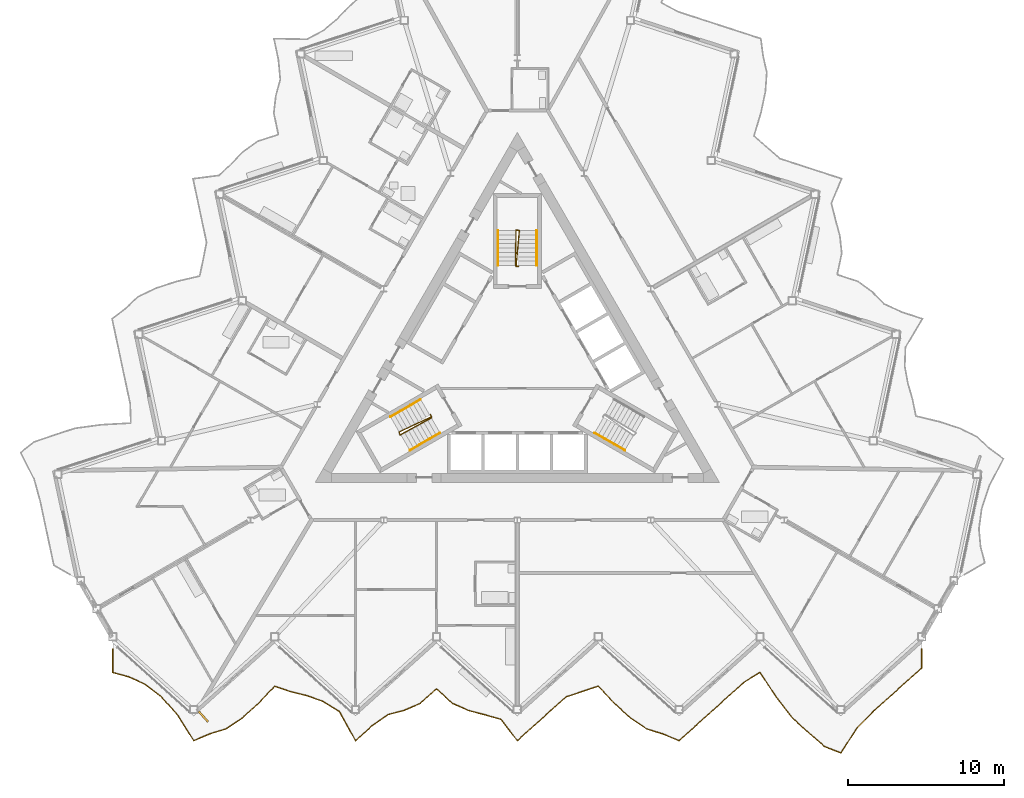
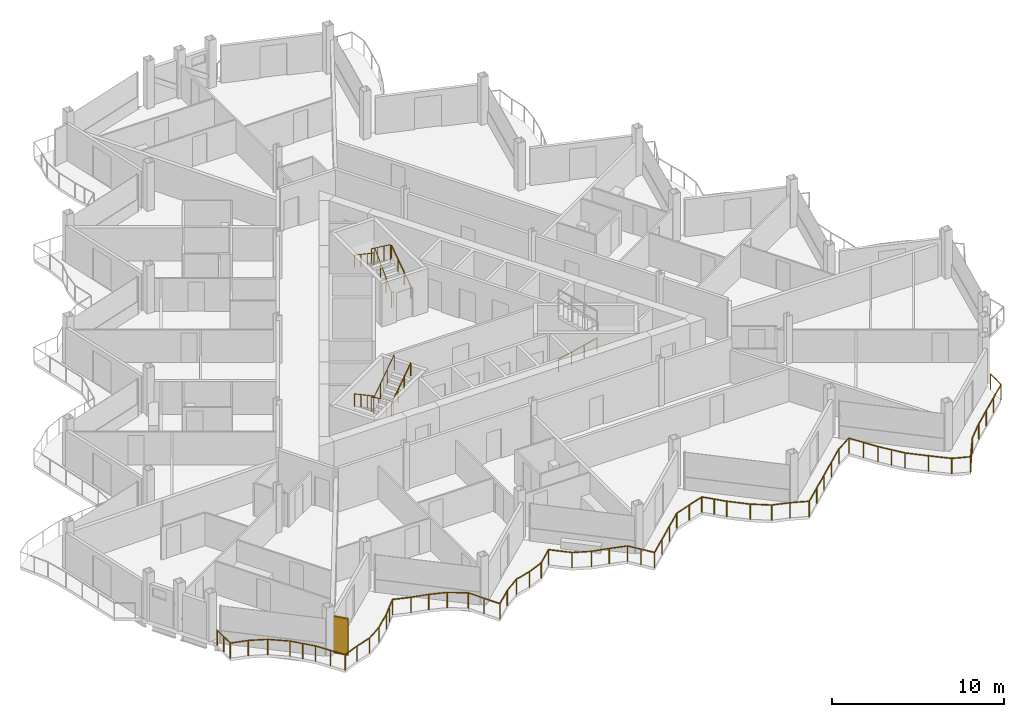
# One storey, part 22 of 26: 8 railings, 1 shading device.
"""IFC4 building model written with IfcOpenShell, lengths in metres."""

from ifc_helpers import new_model, si_unit, direction, frame, origin, origin_2d, place, context, subcontext, project, spatial, rectangle, circle, extrude, material, layer, layer_set, type_object, element, save


model = new_model("IFC4")

# Units and contexts
model_context = context("Model", 3, precision=1e-05, world=origin(), true_north=direction((0.0, 1.0)))
body_context = subcontext(model_context, "Body", "Model", "MODEL_VIEW")
ifc_project = project(units=[si_unit("LENGTHUNIT", "METRE"), si_unit("AREAUNIT", "SQUARE_METRE"), si_unit("VOLUMEUNIT", "CUBIC_METRE"), si_unit("PLANEANGLEUNIT", "RADIAN"), si_unit("MASSUNIT", "GRAM", prefix="KILO")], contexts=[model_context])

# Site, building, storey
site_placement = place(None, origin())
site = spatial("IfcSite", under=ifc_project, at=site_placement, CompositionType="ELEMENT")
building_placement = place(site_placement, origin())
building = spatial("IfcBuilding", under=site, at=building_placement, Name="Cormorant Prow Tower", CompositionType="ELEMENT")
storey_placement = place(building_placement, frame((0.0, 0.0, 388.199951171875)))
storey = spatial("IfcBuildingStorey", under=building, at=storey_placement, Name="L88", CompositionType="ELEMENT", Elevation=388.199951171875)

# Railings
ifc_material_1 = material(Name="Aluminium 6063-T6", Category="aluminium")
railing_type_1 = type_object("IfcRailingType", Name="Balcony guard 1100", PredefinedType="GUARDRAIL", material=ifc_material_1)
railing_1_placement = place(storey_placement, frame((-26.0, -18.189697265625, 0.0)))
element("IfcRailing", 1, at=railing_1_placement, inside=storey, type_object=railing_type_1, Name="Balcony guard S", PredefinedType="GUARDRAIL", context=body_context, shape_type="SweptSolid", body=[
    extrude(circle(Radius=0.02392578125, at=origin_2d()), frame((0.0, 0.0, 1.076171875), z_axis=(0.0, -1.0, 0.0), x_axis=(1.0, 0.0, 0.0)), (0.0, 0.0, 1.0), 1.52001953125),
    extrude(circle(Radius=0.02392578125, at=origin_2d()), frame((0.0, -1.52001953125, 1.076171875), z_axis=(0.964810844269, -0.262944927276, 0.0), x_axis=(0.262944927276, 0.964810844269, 0.0)), (0.0, 0.0, 1.0), 1.077880859375),
    extrude(circle(Radius=0.02392578125, at=origin_2d()), frame((1.0400390625, -1.803466796875, 1.076171875), z_axis=(0.909347595686, -0.41603719812, 0.0), x_axis=(0.41603719812, 0.909347595686, 0.0)), (0.0, 0.0, 1.0), 1.143798828125),
    extrude(circle(Radius=0.02392578125, at=origin_2d()), frame((2.080078125, -2.279296875, 1.076171875), z_axis=(0.791268661421, -0.611468646337, 0.0), x_axis=(0.611468646337, 0.791268661421, 0.0)), (0.0, 0.0, 1.0), 1.314453125),
    extrude(circle(Radius=0.02392578125, at=origin_2d()), frame((3.1201171875, -3.0830078125, 1.076171875), z_axis=(0.6640831276, -0.747658745443, 0.0), x_axis=(0.747658745443, 0.6640831276, 0.0)), (0.0, 0.0, 1.0), 1.565673828125),
    extrude(circle(Radius=0.02392578125, at=origin_2d()), frame((4.159912109375, -4.253662109375, 1.076171875), z_axis=(0.533597069462, -0.845738829345, 0.0), x_axis=(0.845738829345, 0.533597069462, 0.0)), (0.0, 0.0, 1.0), 1.94921875),
    extrude(circle(Radius=0.02392578125, at=origin_2d()), frame((5.199951171875, -5.902099609375, 1.076171875), z_axis=(0.920214237524, 0.391415070045, 0.0), x_axis=(-0.391415070045, 0.920214237524, 0.0)), (0.0, 0.0, 1.0), 1.130126953125),
    extrude(circle(Radius=0.02392578125, at=origin_2d()), frame((6.239990234375, -5.459716796875, 1.076171875), z_axis=(0.95576445461, 0.294133145538, 0.0), x_axis=(-0.294133145538, 0.95576445461, 0.0)), (0.0, 0.0, 1.0), 1.088134765625),
    extrude(circle(Radius=0.02392578125, at=origin_2d()), frame((7.280029296875, -5.1396484375, 1.076171875), z_axis=(0.830788013816, 0.556588965125, 0.0), x_axis=(-0.556588965125, 0.830788013816, 0.0)), (0.0, 0.0, 1.0), 1.251953125),
    extrude(circle(Radius=0.02392578125, at=origin_2d()), frame((8.320068359375, -4.44287109375, 1.076171875), z_axis=(0.743120643554, 0.66915746213, 0.0), x_axis=(-0.66915746213, 0.743120643554, 0.0)), (0.0, 0.0, 1.0), 1.399658203125),
    extrude(circle(Radius=0.02392578125, at=origin_2d()), frame((9.360107421875, -3.50634765625, 1.076171875), z_axis=(0.686746627718, 0.726896876674, 0.0), x_axis=(-0.726896876674, 0.686746627718, 0.0)), (0.0, 0.0, 1.0), 1.51416015625),
    extrude(circle(Radius=0.02392578125, at=origin_2d()), frame((10.39990234375, -2.40576171875, 1.076171875), z_axis=(0.949083556444, -0.315024448078, 0.0), x_axis=(0.315024448078, 0.949083556444, 0.0)), (0.0, 0.0, 1.0), 1.095947265625),
    extrude(circle(Radius=0.02392578125, at=origin_2d()), frame((11.43994140625, -2.7509765625, 1.076171875), z_axis=(0.970463258891, -0.241248965062, 0.0), x_axis=(0.241248965062, 0.970463258891, 0.0)), (0.0, 0.0, 1.0), 1.07177734375),
    extrude(circle(Radius=0.02392578125, at=origin_2d()), frame((12.47998046875, -3.009521484375, 1.076171875), z_axis=(0.941701894654, -0.336448423395, 0.0), x_axis=(0.336448423395, 0.941701894654, 0.0)), (0.0, 0.0, 1.0), 1.1044921875),
    extrude(circle(Radius=0.02392578125, at=origin_2d()), frame((13.52001953125, -3.381103515625, 1.076171875), z_axis=(0.847864099887, -0.530213606127, 0.0), x_axis=(0.530213606127, 0.847864099887, 0.0)), (0.0, 0.0, 1.0), 1.2265625),
    extrude(circle(Radius=0.02392578125, at=origin_2d()), frame((14.56005859375, -4.031494140625, 1.076171875), z_axis=(0.485933457177, -0.873995809599, 0.0), x_axis=(0.873995809599, 0.485933457177, 0.0)), (0.0, 0.0, 1.0), 2.140380859375),
    extrude(circle(Radius=0.02392578125, at=origin_2d()), frame((15.60009765625, -5.902099609375, 1.076171875), z_axis=(0.74304251841, 0.669244212403, 0.0), x_axis=(-0.669244212403, 0.74304251841, 0.0)), (0.0, 0.0, 1.0), 1.3994140625),
    extrude(circle(Radius=0.02392578125, at=origin_2d()), frame((16.639892578125, -4.965576171875, 1.076171875), z_axis=(0.815166142361, 0.579227209607, 0.0), x_axis=(-0.579227209607, 0.815166142361, 0.0)), (0.0, 0.0, 1.0), 1.27587890625),
    extrude(circle(Radius=0.02392578125, at=origin_2d()), frame((17.679931640625, -4.2265625, 1.076171875), z_axis=(0.967800372049, 0.251718970007, 0.0), x_axis=(-0.251718970007, 0.967800372049, 0.0)), (0.0, 0.0, 1.0), 1.07470703125),
    extrude(circle(Radius=0.02392578125, at=origin_2d()), frame((18.719970703125, -3.9560546875, 1.076171875), z_axis=(0.917869764343, 0.396881715005, 0.0), x_axis=(-0.396881715005, 0.917869764343, 0.0)), (0.0, 0.0, 1.0), 1.133056640625),
    extrude(circle(Radius=0.02392578125, at=origin_2d()), frame((19.760009765625, -3.50634765625, 1.076171875), z_axis=(0.743207391022, 0.669061113749, 0.0), x_axis=(-0.669061113749, 0.743207391022, 0.0)), (0.0, 0.0, 1.0), 1.3994140625),
    extrude(circle(Radius=0.02392578125, at=origin_2d()), frame((20.800048828125, -2.570068359375, 1.076171875), z_axis=(0.743207391022, -0.669061113749, 0.0), x_axis=(0.669061113749, 0.743207391022, 0.0)), (0.0, 0.0, 1.0), 1.3994140625),
    extrude(circle(Radius=0.02392578125, at=origin_2d()), frame((21.840087890625, -3.50634765625, 1.076171875), z_axis=(0.914756758926, -0.404005039572, 0.0), x_axis=(0.404005039572, 0.914756758926, 0.0)), (0.0, 0.0, 1.0), 1.13671875),
    extrude(circle(Radius=0.02392578125, at=origin_2d()), frame((22.8798828125, -3.965576171875, 1.076171875), z_axis=(0.967523142139, -0.252782454742, 0.0), x_axis=(0.252782454742, 0.967523142139, 0.0)), (0.0, 0.0, 1.0), 1.074951171875),
    extrude(circle(Radius=0.02392578125, at=origin_2d()), frame((23.919921875, -4.2373046875, 1.076171875), z_axis=(0.961114225103, -0.276151129466, 0.0), x_axis=(0.276151129466, 0.961114225103, 0.0)), (0.0, 0.0, 1.0), 1.08203125),
    extrude(circle(Radius=0.02392578125, at=origin_2d()), frame((24.9599609375, -4.5361328125, 1.076171875), z_axis=(0.605786115931, -0.795627539585, 0.0), x_axis=(0.795627539585, 0.605786115931, 0.0)), (0.0, 0.0, 1.0), 1.716796875),
    extrude(circle(Radius=0.02392578125, at=origin_2d()), frame((26.0, -5.902099609375, 1.076171875), z_axis=(0.743120643554, 0.66915746213, 0.0), x_axis=(-0.66915746213, 0.743120643554, 0.0)), (0.0, 0.0, 1.0), 1.399658203125),
    extrude(circle(Radius=0.02392578125, at=origin_2d()), frame((27.0400390625, -4.965576171875, 1.076171875), z_axis=(0.743207391022, 0.669061113749, 0.0), x_axis=(-0.669061113749, 0.743207391022, 0.0)), (0.0, 0.0, 1.0), 1.3994140625),
    extrude(circle(Radius=0.02392578125, at=origin_2d()), frame((28.080078125, -4.029296875, 1.076171875), z_axis=(0.743120643554, 0.66915746213, 0.0), x_axis=(-0.66915746213, 0.743120643554, 0.0)), (0.0, 0.0, 1.0), 1.399658203125),
    extrude(circle(Radius=0.02392578125, at=origin_2d()), frame((29.1201171875, -3.0927734375, 1.076171875), z_axis=(0.947182716129, 0.320694406353, 0.0), x_axis=(-0.320694406353, 0.947182716129, 0.0)), (0.0, 0.0, 1.0), 1.09765625),
    extrude(circle(Radius=0.02392578125, at=origin_2d()), frame((30.159912109375, -2.74072265625, 1.076171875), z_axis=(0.94981426638, 0.312814416838, 0.0), x_axis=(-0.312814416838, 0.94981426638, 0.0)), (0.0, 0.0, 1.0), 1.094970703125),
    extrude(circle(Radius=0.02392578125, at=origin_2d()), frame((31.199951171875, -2.398193359375, 1.076171875), z_axis=(0.68434179977, -0.729161368346, 0.0), x_axis=(0.729161368346, 0.68434179977, 0.0)), (0.0, 0.0, 1.0), 1.519775390625),
    extrude(circle(Radius=0.02392578125, at=origin_2d()), frame((32.239990234375, -3.50634765625, 1.076171875), z_axis=(0.743120643554, -0.66915746213, 0.0), x_axis=(0.66915746213, 0.743120643554, 0.0)), (0.0, 0.0, 1.0), 1.399658203125),
    extrude(circle(Radius=0.02392578125, at=origin_2d()), frame((33.280029296875, -4.44287109375, 1.076171875), z_axis=(0.827810980461, -0.561007112815, 0.0), x_axis=(0.561007112815, 0.827810980461, 0.0)), (0.0, 0.0, 1.0), 1.25634765625),
    extrude(circle(Radius=0.02392578125, at=origin_2d()), frame((34.320068359375, -5.147705078125, 1.076171875), z_axis=(0.95513195823, -0.296180590803, 0.0), x_axis=(0.296180590803, 0.95513195823, 0.0)), (0.0, 0.0, 1.0), 1.0888671875),
    extrude(circle(Radius=0.02392578125, at=origin_2d()), frame((35.360107421875, -5.47021484375, 1.076171875), z_axis=(0.923506170268, -0.383583567787, 0.0), x_axis=(0.383583567787, 0.923506170268, 0.0)), (0.0, 0.0, 1.0), 1.1259765625),
    extrude(circle(Radius=0.02392578125, at=origin_2d()), frame((36.39990234375, -5.902099609375, 1.076171875), z_axis=(0.743120643554, 0.66915746213, 0.0), x_axis=(-0.66915746213, 0.743120643554, 0.0)), (0.0, 0.0, 1.0), 1.399658203125),
    extrude(circle(Radius=0.02392578125, at=origin_2d()), frame((37.43994140625, -4.965576171875, 1.076171875), z_axis=(0.743207391022, 0.669061113749, 0.0), x_axis=(-0.669061113749, 0.743207391022, 0.0)), (0.0, 0.0, 1.0), 1.3994140625),
    extrude(circle(Radius=0.02392578125, at=origin_2d()), frame((38.47998046875, -4.029296875, 1.076171875), z_axis=(0.743120643554, 0.66915746213, 0.0), x_axis=(-0.66915746213, 0.743120643554, 0.0)), (0.0, 0.0, 1.0), 1.399658203125),
    extrude(circle(Radius=0.02392578125, at=origin_2d()), frame((39.52001953125, -3.0927734375, 1.076171875), z_axis=(0.743207391022, 0.669061113749, 0.0), x_axis=(-0.669061113749, 0.743207391022, 0.0)), (0.0, 0.0, 1.0), 1.3994140625),
    extrude(circle(Radius=0.02392578125, at=origin_2d()), frame((40.56005859375, -2.156494140625, 1.076171875), z_axis=(0.849026802897, 0.528349778047, 0.0), x_axis=(-0.528349778047, 0.849026802897, 0.0)), (0.0, 0.0, 1.0), 1.22509765625),
    extrude(circle(Radius=0.02392578125, at=origin_2d()), frame((41.60009765625, -1.50927734375, 1.076171875), z_axis=(0.547117832876, -0.837055599676, 0.0), x_axis=(0.837055599676, 0.547117832876, 0.0)), (0.0, 0.0, 1.0), 1.900390625),
    extrude(circle(Radius=0.02392578125, at=origin_2d()), frame((42.639892578125, -3.10009765625, 1.076171875), z_axis=(0.612347129272, -0.790589016666, 0.0), x_axis=(0.790589016666, 0.612347129272, 0.0)), (0.0, 0.0, 1.0), 1.698486328125),
    extrude(circle(Radius=0.02392578125, at=origin_2d()), frame((43.679931640625, -4.44287109375, 1.076171875), z_axis=(0.743207391022, -0.669061113749, 0.0), x_axis=(0.669061113749, 0.743207391022, 0.0)), (0.0, 0.0, 1.0), 1.3994140625),
    extrude(circle(Radius=0.02392578125, at=origin_2d()), frame((44.719970703125, -5.379150390625, 1.076171875), z_axis=(0.754548321013, -0.656244490458, 0.0), x_axis=(0.656244490458, 0.754548321013, 0.0)), (0.0, 0.0, 1.0), 1.37841796875),
    extrude(circle(Radius=0.02392578125, at=origin_2d()), frame((45.760009765625, -6.28369140625, 1.076171875), z_axis=(0.931016886967, -0.364976103576, 0.0), x_axis=(0.364976103576, 0.931016886967, 0.0)), (0.0, 0.0, 1.0), 1.1171875),
    extrude(circle(Radius=0.02392578125, at=origin_2d()), frame((46.800048828125, -6.69140625, 1.076171875), z_axis=(0.542823251772, 0.839846960664, 0.0), x_axis=(-0.839846960664, 0.542823251772, 0.0)), (0.0, 0.0, 1.0), 1.916015625),
    extrude(circle(Radius=0.02392578125, at=origin_2d()), frame((47.840087890625, -5.082275390625, 1.076171875), z_axis=(0.702638363569, 0.711547138313, 0.0), x_axis=(-0.711547138313, 0.702638363569, 0.0)), (0.0, 0.0, 1.0), 1.479736328125),
    extrude(circle(Radius=0.02392578125, at=origin_2d()), frame((48.8798828125, -4.029296875, 1.076171875), z_axis=(0.743120643554, 0.66915746213, 0.0), x_axis=(-0.66915746213, 0.743120643554, 0.0)), (0.0, 0.0, 1.0), 1.399658203125),
    extrude(circle(Radius=0.02392578125, at=origin_2d()), frame((49.919921875, -3.0927734375, 1.076171875), z_axis=(0.743207391022, 0.669061113749, 0.0), x_axis=(-0.669061113749, 0.743207391022, 0.0)), (0.0, 0.0, 1.0), 1.3994140625),
    extrude(circle(Radius=0.02392578125, at=origin_2d()), frame((50.9599609375, -2.156494140625, 1.076171875), z_axis=(0.743120643554, 0.66915746213, 0.0), x_axis=(-0.66915746213, 0.743120643554, 0.0)), (0.0, 0.0, 1.0), 1.399658203125),
    extrude(circle(Radius=0.02392578125, at=origin_2d()), frame((52.0, -1.219970703125, 1.076171875), z_axis=(0.0, 1.0, 0.0), x_axis=(-1.0, 0.0, 0.0)), (0.0, 0.0, 1.0), 1.219970703125),
    extrude(circle(Radius=0.02099609375, at=origin_2d()), origin(), (0.0, 0.0, 1.0), 1.052001953125),
    extrude(circle(Radius=0.02099609375, at=origin_2d()), frame((0.0, -0.760009765625, 0.0)), (0.0, 0.0, 1.0), 1.052001953125),
    extrude(circle(Radius=0.02099609375, at=origin_2d()), frame((0.0, -1.52001953125, 0.0)), (0.0, 0.0, 1.0), 1.052001953125),
    extrude(circle(Radius=0.02099609375, at=origin_2d()), frame((1.0400390625, -1.803466796875, 0.0)), (0.0, 0.0, 1.0), 1.052001953125),
    extrude(circle(Radius=0.02099609375, at=origin_2d()), frame((2.080078125, -2.279296875, 0.0)), (0.0, 0.0, 1.0), 1.052001953125),
    extrude(circle(Radius=0.02099609375, at=origin_2d()), frame((3.1201171875, -3.0830078125, 0.0)), (0.0, 0.0, 1.0), 1.052001953125),
    extrude(circle(Radius=0.02099609375, at=origin_2d()), frame((3.64013671875, -3.66845703125, 0.0)), (0.0, 0.0, 1.0), 1.052001953125),
    extrude(circle(Radius=0.02099609375, at=origin_2d()), frame((4.159912109375, -4.253662109375, 0.0)), (0.0, 0.0, 1.0), 1.052001953125),
    extrude(circle(Radius=0.02099609375, at=origin_2d()), frame((4.679931640625, -5.077880859375, 0.0)), (0.0, 0.0, 1.0), 1.052001953125),
    extrude(circle(Radius=0.02099609375, at=origin_2d()), frame((5.199951171875, -5.902099609375, 0.0)), (0.0, 0.0, 1.0), 1.052001953125),
    extrude(circle(Radius=0.02099609375, at=origin_2d()), frame((6.239990234375, -5.459716796875, 0.0)), (0.0, 0.0, 1.0), 1.052001953125),
    extrude(circle(Radius=0.02099609375, at=origin_2d()), frame((7.280029296875, -5.1396484375, 0.0)), (0.0, 0.0, 1.0), 1.052001953125),
    extrude(circle(Radius=0.02099609375, at=origin_2d()), frame((8.320068359375, -4.44287109375, 0.0)), (0.0, 0.0, 1.0), 1.052001953125),
    extrude(circle(Radius=0.02099609375, at=origin_2d()), frame((9.360107421875, -3.50634765625, 0.0)), (0.0, 0.0, 1.0), 1.052001953125),
    extrude(circle(Radius=0.02099609375, at=origin_2d()), frame((9.8798828125, -2.9560546875, 0.0)), (0.0, 0.0, 1.0), 1.052001953125),
    extrude(circle(Radius=0.02099609375, at=origin_2d()), frame((10.39990234375, -2.40576171875, 0.0)), (0.0, 0.0, 1.0), 1.052001953125),
    extrude(circle(Radius=0.02099609375, at=origin_2d()), frame((11.43994140625, -2.7509765625, 0.0)), (0.0, 0.0, 1.0), 1.052001953125),
    extrude(circle(Radius=0.02099609375, at=origin_2d()), frame((12.47998046875, -3.009521484375, 0.0)), (0.0, 0.0, 1.0), 1.052001953125),
    extrude(circle(Radius=0.02099609375, at=origin_2d()), frame((13.52001953125, -3.381103515625, 0.0)), (0.0, 0.0, 1.0), 1.052001953125),
    extrude(circle(Radius=0.02099609375, at=origin_2d()), frame((14.56005859375, -4.031494140625, 0.0)), (0.0, 0.0, 1.0), 1.052001953125),
    extrude(circle(Radius=0.02099609375, at=origin_2d()), frame((15.080078125, -4.966796875, 0.0)), (0.0, 0.0, 1.0), 1.052001953125),
    extrude(circle(Radius=0.02099609375, at=origin_2d()), frame((15.60009765625, -5.902099609375, 0.0)), (0.0, 0.0, 1.0), 1.052001953125),
    extrude(circle(Radius=0.02099609375, at=origin_2d()), frame((16.639892578125, -4.965576171875, 0.0)), (0.0, 0.0, 1.0), 1.052001953125),
    extrude(circle(Radius=0.02099609375, at=origin_2d()), frame((17.679931640625, -4.2265625, 0.0)), (0.0, 0.0, 1.0), 1.052001953125),
    extrude(circle(Radius=0.02099609375, at=origin_2d()), frame((18.719970703125, -3.9560546875, 0.0)), (0.0, 0.0, 1.0), 1.052001953125),
    extrude(circle(Radius=0.02099609375, at=origin_2d()), frame((19.760009765625, -3.50634765625, 0.0)), (0.0, 0.0, 1.0), 1.052001953125),
    extrude(circle(Radius=0.02099609375, at=origin_2d()), frame((20.800048828125, -2.570068359375, 0.0)), (0.0, 0.0, 1.0), 1.052001953125),
    extrude(circle(Radius=0.02099609375, at=origin_2d()), frame((21.840087890625, -3.50634765625, 0.0)), (0.0, 0.0, 1.0), 1.052001953125),
    extrude(circle(Radius=0.02099609375, at=origin_2d()), frame((22.8798828125, -3.965576171875, 0.0)), (0.0, 0.0, 1.0), 1.052001953125),
    extrude(circle(Radius=0.02099609375, at=origin_2d()), frame((23.919921875, -4.2373046875, 0.0)), (0.0, 0.0, 1.0), 1.052001953125),
    extrude(circle(Radius=0.02099609375, at=origin_2d()), frame((24.9599609375, -4.5361328125, 0.0)), (0.0, 0.0, 1.0), 1.052001953125),
    extrude(circle(Radius=0.02099609375, at=origin_2d()), frame((25.47998046875, -5.21923828125, 0.0)), (0.0, 0.0, 1.0), 1.052001953125),
    extrude(circle(Radius=0.02099609375, at=origin_2d()), frame((26.0, -5.902099609375, 0.0)), (0.0, 0.0, 1.0), 1.052001953125),
    extrude(circle(Radius=0.02099609375, at=origin_2d()), frame((27.0400390625, -4.965576171875, 0.0)), (0.0, 0.0, 1.0), 1.052001953125),
    extrude(circle(Radius=0.02099609375, at=origin_2d()), frame((28.080078125, -4.029296875, 0.0)), (0.0, 0.0, 1.0), 1.052001953125),
    extrude(circle(Radius=0.02099609375, at=origin_2d()), frame((29.1201171875, -3.0927734375, 0.0)), (0.0, 0.0, 1.0), 1.052001953125),
    extrude(circle(Radius=0.02099609375, at=origin_2d()), frame((30.159912109375, -2.74072265625, 0.0)), (0.0, 0.0, 1.0), 1.052001953125),
    extrude(circle(Radius=0.02099609375, at=origin_2d()), frame((31.199951171875, -2.398193359375, 0.0)), (0.0, 0.0, 1.0), 1.052001953125),
    extrude(circle(Radius=0.02099609375, at=origin_2d()), frame((31.719970703125, -2.9521484375, 0.0)), (0.0, 0.0, 1.0), 1.052001953125),
    extrude(circle(Radius=0.02099609375, at=origin_2d()), frame((32.239990234375, -3.50634765625, 0.0)), (0.0, 0.0, 1.0), 1.052001953125),
    extrude(circle(Radius=0.02099609375, at=origin_2d()), frame((33.280029296875, -4.44287109375, 0.0)), (0.0, 0.0, 1.0), 1.052001953125),
    extrude(circle(Radius=0.02099609375, at=origin_2d()), frame((34.320068359375, -5.147705078125, 0.0)), (0.0, 0.0, 1.0), 1.052001953125),
    extrude(circle(Radius=0.02099609375, at=origin_2d()), frame((35.360107421875, -5.47021484375, 0.0)), (0.0, 0.0, 1.0), 1.052001953125),
    extrude(circle(Radius=0.02099609375, at=origin_2d()), frame((36.39990234375, -5.902099609375, 0.0)), (0.0, 0.0, 1.0), 1.052001953125),
    extrude(circle(Radius=0.02099609375, at=origin_2d()), frame((37.43994140625, -4.965576171875, 0.0)), (0.0, 0.0, 1.0), 1.052001953125),
    extrude(circle(Radius=0.02099609375, at=origin_2d()), frame((38.47998046875, -4.029296875, 0.0)), (0.0, 0.0, 1.0), 1.052001953125),
    extrude(circle(Radius=0.02099609375, at=origin_2d()), frame((39.52001953125, -3.0927734375, 0.0)), (0.0, 0.0, 1.0), 1.052001953125),
    extrude(circle(Radius=0.02099609375, at=origin_2d()), frame((40.56005859375, -2.156494140625, 0.0)), (0.0, 0.0, 1.0), 1.052001953125),
    extrude(circle(Radius=0.02099609375, at=origin_2d()), frame((41.60009765625, -1.50927734375, 0.0)), (0.0, 0.0, 1.0), 1.052001953125),
    extrude(circle(Radius=0.02099609375, at=origin_2d()), frame((42.1201171875, -2.3046875, 0.0)), (0.0, 0.0, 1.0), 1.052001953125),
    extrude(circle(Radius=0.02099609375, at=origin_2d()), frame((42.639892578125, -3.10009765625, 0.0)), (0.0, 0.0, 1.0), 1.052001953125),
    extrude(circle(Radius=0.02099609375, at=origin_2d()), frame((43.159912109375, -3.771484375, 0.0)), (0.0, 0.0, 1.0), 1.052001953125),
    extrude(circle(Radius=0.02099609375, at=origin_2d()), frame((43.679931640625, -4.44287109375, 0.0)), (0.0, 0.0, 1.0), 1.052001953125),
    extrude(circle(Radius=0.02099609375, at=origin_2d()), frame((44.719970703125, -5.379150390625, 0.0)), (0.0, 0.0, 1.0), 1.052001953125),
    extrude(circle(Radius=0.02099609375, at=origin_2d()), frame((45.760009765625, -6.28369140625, 0.0)), (0.0, 0.0, 1.0), 1.052001953125),
    extrude(circle(Radius=0.02099609375, at=origin_2d()), frame((46.800048828125, -6.69140625, 0.0)), (0.0, 0.0, 1.0), 1.052001953125),
    extrude(circle(Radius=0.02099609375, at=origin_2d()), frame((47.320068359375, -5.88671875, 0.0)), (0.0, 0.0, 1.0), 1.052001953125),
    extrude(circle(Radius=0.02099609375, at=origin_2d()), frame((47.840087890625, -5.082275390625, 0.0)), (0.0, 0.0, 1.0), 1.052001953125),
    extrude(circle(Radius=0.02099609375, at=origin_2d()), frame((48.8798828125, -4.029296875, 0.0)), (0.0, 0.0, 1.0), 1.052001953125),
    extrude(circle(Radius=0.02099609375, at=origin_2d()), frame((49.919921875, -3.0927734375, 0.0)), (0.0, 0.0, 1.0), 1.052001953125),
    extrude(circle(Radius=0.02099609375, at=origin_2d()), frame((50.9599609375, -2.156494140625, 0.0)), (0.0, 0.0, 1.0), 1.052001953125),
    extrude(circle(Radius=0.02099609375, at=origin_2d()), frame((52.0, -1.219970703125, 0.0)), (0.0, 0.0, 1.0), 1.052001953125),
    extrude(circle(Radius=0.02099609375, at=origin_2d()), frame((52.0, 0.0, 0.0)), (0.0, 0.0, 1.0), 1.052001953125),
])
ifc_material_2 = material(Name="Stainless steel", Category="steel")
railing_type_2 = type_object("IfcRailingType", Name="Stair guard 1100", PredefinedType="GUARDRAIL", material=ifc_material_2)
railing_2_placement = place(storey_placement, frame((-5.585205078125, -3.137939453125, 0.0)))
element("IfcRailing", 2, at=railing_2_placement, inside=storey, type_object=railing_type_2, Name="L88 ST1 stair guard 1", PredefinedType="GUARDRAIL", context=body_context, shape_type="SweptSolid", body=[
    extrude(circle(Radius=0.02392578125, at=origin_2d()), frame((0.0, 0.0, 1.076171875), z_axis=(0.501036270542, -0.865426285481, 0.0), x_axis=(0.865426285481, 0.501036270542, 0.0)), (0.0, 0.0, 1.0), 0.150146484375),
    extrude(circle(Radius=0.02392578125, at=origin_2d()), frame((0.0751953125, -0.1298828125, 1.076171875), z_axis=(-0.728641035543, -0.339941399566, 0.594577233152), x_axis=(0.422792438952, -0.906226546491, 0.0)), (0.0, 0.0, 1.0), 2.859130859375),
    extrude(circle(Radius=0.02392578125, at=origin_2d()), frame((-2.008056640625, -1.101806640625, 2.77587890625), z_axis=(0.275034262293, -0.961434425515, 0.0), x_axis=(0.961434425515, 0.275034262293, 0.0)), (0.0, 0.0, 1.0), 0.2060546875),
    extrude(circle(Radius=0.02392578125, at=origin_2d()), frame((-1.951416015625, -1.2998046875, 2.77587890625), z_axis=(0.704022539576, 0.386159700774, 0.596014219014), x_axis=(-0.480911908544, 0.87676891837, 0.0)), (0.0, 0.0, 1.0), 2.8525390625),
    extrude(circle(Radius=0.02099609375, at=origin_2d()), origin(), (0.0, 0.0, 1.0), 1.052001953125),
    extrude(circle(Radius=0.02099609375, at=origin_2d()), frame((0.0751953125, -0.1298828125, 0.0)), (0.0, 0.0, 1.0), 1.052001953125),
    extrude(circle(Radius=0.02099609375, at=origin_2d()), frame((-0.619140625, -0.453857421875, 0.566650390625)), (0.0, 0.0, 1.0), 1.052001953125),
    extrude(circle(Radius=0.02099609375, at=origin_2d()), frame((-1.313720703125, -0.77783203125, 1.13330078125)), (0.0, 0.0, 1.0), 1.052001953125),
    extrude(circle(Radius=0.02099609375, at=origin_2d()), frame((-2.008056640625, -1.101806640625, 1.699951171875)), (0.0, 0.0, 1.0), 1.052001953125),
    extrude(circle(Radius=0.02099609375, at=origin_2d()), frame((-1.951416015625, -1.2998046875, 1.699951171875)), (0.0, 0.0, 1.0), 1.052001953125),
    extrude(circle(Radius=0.02099609375, at=origin_2d()), frame((-1.281982421875, -0.9326171875, 2.2666015625)), (0.0, 0.0, 1.0), 1.052001953125),
    extrude(circle(Radius=0.02099609375, at=origin_2d()), frame((-0.612548828125, -0.5654296875, 2.83349609375)), (0.0, 0.0, 1.0), 1.052001953125),
    extrude(circle(Radius=0.02099609375, at=origin_2d()), frame((0.056884765625, -0.1982421875, 3.400146484375)), (0.0, 0.0, 1.0), 1.052001953125),
])
railing_3_placement = place(storey_placement, frame((0.074951171875, 6.40576171875, 0.0)))
element("IfcRailing", 3, at=railing_3_placement, inside=storey, type_object=railing_type_2, Name="L88 ST3 stair guard 1", PredefinedType="GUARDRAIL", context=body_context, shape_type="SweptSolid", body=[
    extrude(circle(Radius=0.02392578125, at=origin_2d()), frame((0.0, 0.0, 1.076171875), z_axis=(-1.0, 0.0, 0.0), x_axis=(0.0, -1.0, 0.0)), (0.0, 0.0, 1.0), 0.14990234375),
    extrude(circle(Radius=0.02392578125, at=origin_2d()), frame((-0.14990234375, 0.0, 1.076171875), z_axis=(0.069936542308, 0.800982621307, 0.594588698525), x_axis=(-0.996209839609, 0.086982500921, 0.0)), (0.0, 0.0, 1.0), 2.859130859375),
    extrude(circle(Radius=0.02392578125, at=origin_2d()), frame((0.050048828125, 2.2900390625, 2.77587890625), z_axis=(-0.970072785993, 0.242814311512, 0.0), x_axis=(-0.242814311512, -0.970072785993, 0.0)), (0.0, 0.0, 1.0), 0.2060546875),
    extrude(circle(Radius=0.02392578125, at=origin_2d()), frame((-0.14990234375, 2.340087890625, 2.77587890625), z_axis=(-0.017544855785, -0.802784132979, 0.596011588706), x_axis=(0.999761264773, -0.0218497931, 0.0)), (0.0, 0.0, 1.0), 2.8525390625),
    extrude(circle(Radius=0.02099609375, at=origin_2d()), origin(), (0.0, 0.0, 1.0), 1.052001953125),
    extrude(circle(Radius=0.02099609375, at=origin_2d()), frame((-0.14990234375, 0.0, 0.0)), (0.0, 0.0, 1.0), 1.052001953125),
    extrude(circle(Radius=0.02099609375, at=origin_2d()), frame((-0.083251953125, 0.763427734375, 0.566650390625)), (0.0, 0.0, 1.0), 1.052001953125),
    extrude(circle(Radius=0.02099609375, at=origin_2d()), frame((-0.0166015625, 1.526611328125, 1.13330078125)), (0.0, 0.0, 1.0), 1.052001953125),
    extrude(circle(Radius=0.02099609375, at=origin_2d()), frame((0.050048828125, 2.2900390625, 1.699951171875)), (0.0, 0.0, 1.0), 1.052001953125),
    extrude(circle(Radius=0.02099609375, at=origin_2d()), frame((-0.14990234375, 2.340087890625, 1.699951171875)), (0.0, 0.0, 1.0), 1.052001953125),
    extrude(circle(Radius=0.02099609375, at=origin_2d()), frame((-0.16650390625, 1.57666015625, 2.2666015625)), (0.0, 0.0, 1.0), 1.052001953125),
    extrude(circle(Radius=0.02099609375, at=origin_2d()), frame((-0.183349609375, 0.8134765625, 2.83349609375)), (0.0, 0.0, 1.0), 1.052001953125),
    extrude(circle(Radius=0.02099609375, at=origin_2d()), frame((-0.199951171875, 0.050048828125, 3.400146484375)), (0.0, 0.0, 1.0), 1.052001953125),
])
ifc_material_3 = material(Name="Stainless steel", Category="steel")
railing_type_3 = type_object("IfcRailingType", Name="Stair handrail 900", PredefinedType="HANDRAIL", material=ifc_material_3)
railing_4_placement = place(storey_placement, frame((-6.212890625, -2.150634765625, 0.18896484375)))
element("IfcRailing", 4, at=railing_4_placement, inside=storey, type_object=railing_type_3, Name="L88 ST1 stair handrail 1", PredefinedType="HANDRAIL", context=body_context, shape_type="SweptSolid", body=[
    extrude(circle(Radius=0.02392578125, at=origin_2d()), frame((0.0, 0.0, 0.8759765625), z_axis=(-0.717976596433, -0.414467486514, 0.559219375198), x_axis=(0.49994888933, -0.866054910533, 0.0)), (0.0, 0.0, 1.0), 2.701904296875),
    extrude(circle(Radius=0.02099609375, at=origin_2d()), origin(), (0.0, 0.0, 1.0), 0.851806640625),
    extrude(circle(Radius=0.02099609375, at=origin_2d()), frame((-0.646728515625, -0.373291015625, 0.503662109375)), (0.0, 0.0, 1.0), 0.851806640625),
    extrude(circle(Radius=0.02099609375, at=origin_2d()), frame((-1.293212890625, -0.74658203125, 1.00732421875)), (0.0, 0.0, 1.0), 0.851806640625),
    extrude(circle(Radius=0.02099609375, at=origin_2d()), frame((-1.93994140625, -1.119873046875, 1.510986328125)), (0.0, 0.0, 1.0), 0.851806640625),
])
railing_5_placement = place(storey_placement, frame((-6.90869140625, -5.42529296875, 1.888916015625)))
element("IfcRailing", 5, at=railing_5_placement, inside=storey, type_object=railing_type_3, Name="L88 ST1 stair handrail 2", PredefinedType="HANDRAIL", context=body_context, shape_type="SweptSolid", body=[
    extrude(circle(Radius=0.02392578125, at=origin_2d()), frame((0.0, 0.0, 0.8759765625), z_axis=(0.717869644322, 0.414548260308, 0.559296802813), x_axis=(-0.500077830873, 0.865980463445, 0.0)), (0.0, 0.0, 1.0), 2.701904296875),
    extrude(circle(Radius=0.02099609375, at=origin_2d()), origin(), (0.0, 0.0, 1.0), 0.851806640625),
    extrude(circle(Radius=0.02099609375, at=origin_2d()), frame((0.646484375, 0.373291015625, 0.503662109375)), (0.0, 0.0, 1.0), 0.851806640625),
    extrude(circle(Radius=0.02099609375, at=origin_2d()), frame((1.293212890625, 0.746826171875, 1.007568359375)), (0.0, 0.0, 1.0), 0.851806640625),
    extrude(circle(Radius=0.02099609375, at=origin_2d()), frame((1.939697265625, 1.1201171875, 1.51123046875)), (0.0, 0.0, 1.0), 0.851806640625),
])
railing_6_placement = place(storey_placement, frame((4.968994140625, -4.30517578125, 0.18896484375)))
element("IfcRailing", 6, at=railing_6_placement, inside=storey, type_object=railing_type_3, Name="L88 ST2 stair handrail 1", PredefinedType="HANDRAIL", context=body_context, shape_type="SweptSolid", body=[
    extrude(circle(Radius=0.02392578125, at=origin_2d()), frame((0.0, 0.0, 0.8759765625), z_axis=(0.71790592183, -0.414569209485, 0.559234707389), x_axis=(0.500077830873, 0.865980463445, 0.0)), (0.0, 0.0, 1.0), 2.701904296875),
    extrude(circle(Radius=0.02099609375, at=origin_2d()), origin(), (0.0, 0.0, 1.0), 0.851806640625),
    extrude(circle(Radius=0.02099609375, at=origin_2d()), frame((0.646484375, -0.373291015625, 0.503662109375)), (0.0, 0.0, 1.0), 0.851806640625),
    extrude(circle(Radius=0.02099609375, at=origin_2d()), frame((1.293212890625, -0.746826171875, 1.00732421875)), (0.0, 0.0, 1.0), 0.851806640625),
    extrude(circle(Radius=0.02099609375, at=origin_2d()), frame((1.939697265625, -1.1201171875, 1.510986328125)), (0.0, 0.0, 1.0), 0.851806640625),
])
railing_7_placement = place(storey_placement, frame((1.243896484375, 6.455810546875, 0.18896484375)))
element("IfcRailing", 7, at=railing_7_placement, inside=storey, type_object=railing_type_3, Name="L88 ST3 stair handrail 1", PredefinedType="HANDRAIL", context=body_context, shape_type="SweptSolid", body=[
    extrude(circle(Radius=0.02392578125, at=origin_2d()), frame((0.0, 0.0, 0.8759765625), z_axis=(0.0, 0.829021472004, 0.559216772778), x_axis=(-1.0, 0.0, 0.0)), (0.0, 0.0, 1.0), 2.701904296875),
    extrude(circle(Radius=0.02099609375, at=origin_2d()), origin(), (0.0, 0.0, 1.0), 0.851806640625),
    extrude(circle(Radius=0.02099609375, at=origin_2d()), frame((0.0, 0.74658203125, 0.503662109375)), (0.0, 0.0, 1.0), 0.851806640625),
    extrude(circle(Radius=0.02099609375, at=origin_2d()), frame((0.0, 1.493408203125, 1.00732421875)), (0.0, 0.0, 1.0), 0.851806640625),
    extrude(circle(Radius=0.02099609375, at=origin_2d()), frame((0.0, 2.239990234375, 1.510986328125)), (0.0, 0.0, 1.0), 0.851806640625),
])
railing_8_placement = place(storey_placement, frame((-1.243896484375, 8.69580078125, 1.888916015625)))
element("IfcRailing", 8, at=railing_8_placement, inside=storey, type_object=railing_type_3, Name="L88 ST3 stair handrail 2", PredefinedType="HANDRAIL", context=body_context, shape_type="SweptSolid", body=[
    extrude(circle(Radius=0.02392578125, at=origin_2d()), frame((0.0, 0.0, 0.8759765625), z_axis=(0.0, -0.828979582247, 0.559278868023), x_axis=(1.0, 0.0, 0.0)), (0.0, 0.0, 1.0), 2.7021484375),
    extrude(circle(Radius=0.02099609375, at=origin_2d()), origin(), (0.0, 0.0, 1.0), 0.851806640625),
    extrude(circle(Radius=0.02099609375, at=origin_2d()), frame((0.0, -0.74658203125, 0.503662109375)), (0.0, 0.0, 1.0), 0.851806640625),
    extrude(circle(Radius=0.02099609375, at=origin_2d()), frame((0.0, -1.493408203125, 1.007568359375)), (0.0, 0.0, 1.0), 0.851806640625),
    extrude(circle(Radius=0.02099609375, at=origin_2d()), frame((0.0, -2.239990234375, 1.51123046875)), (0.0, 0.0, 1.0), 0.851806640625),
])

# Shading device
ifc_material_4 = material(Name="Terracotta", Category="masonry")
ifc_layer = layer(ifc_material_4, 0.1201171875)
ifc_layer_set = layer_set([ifc_layer], Name="Terracotta")
shading_device_type = type_object("IfcShadingDeviceType", Name="Terracotta baguette fin 120x900x2600", PredefinedType="USERDEFINED", material=ifc_layer_set)
shading_device_placement = place(storey_placement, frame((-20.182373046875, -22.541015625, 0.0), z_axis=(0.0, 0.0, 1.0), x_axis=(0.743144827638, 0.669130603959, 0.0)))
element("IfcShadingDevice", 9, at=shading_device_placement, inside=storey, type_object=shading_device_type, Name="Baguette fin S01", ObjectType="BAGUETTE", PredefinedType="USERDEFINED", context=body_context, shape_type="SweptSolid", body=[
    extrude(rectangle(XDim=0.1201171875, YDim=0.89990234375, at=origin_2d()), origin(), (0.0, 0.0, 1.0), 2.60009765625),
])

save(model, "model.ifc")
